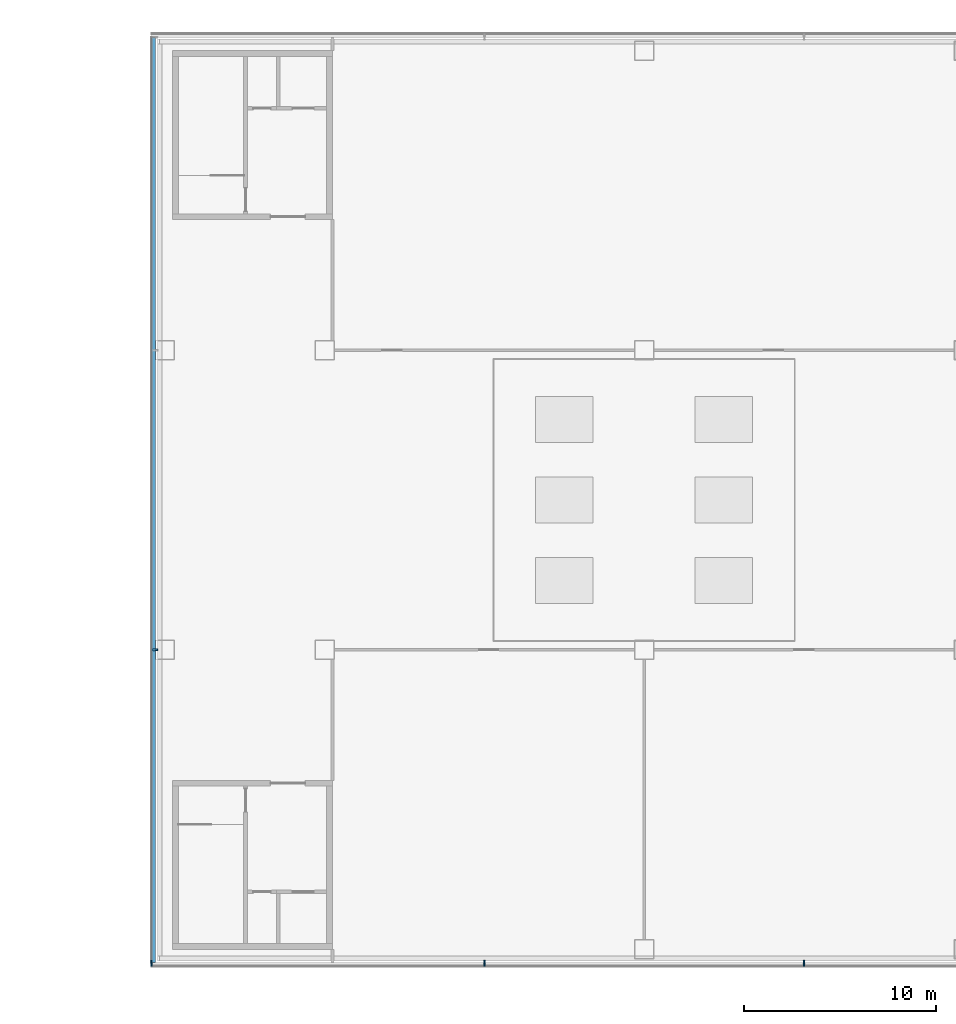
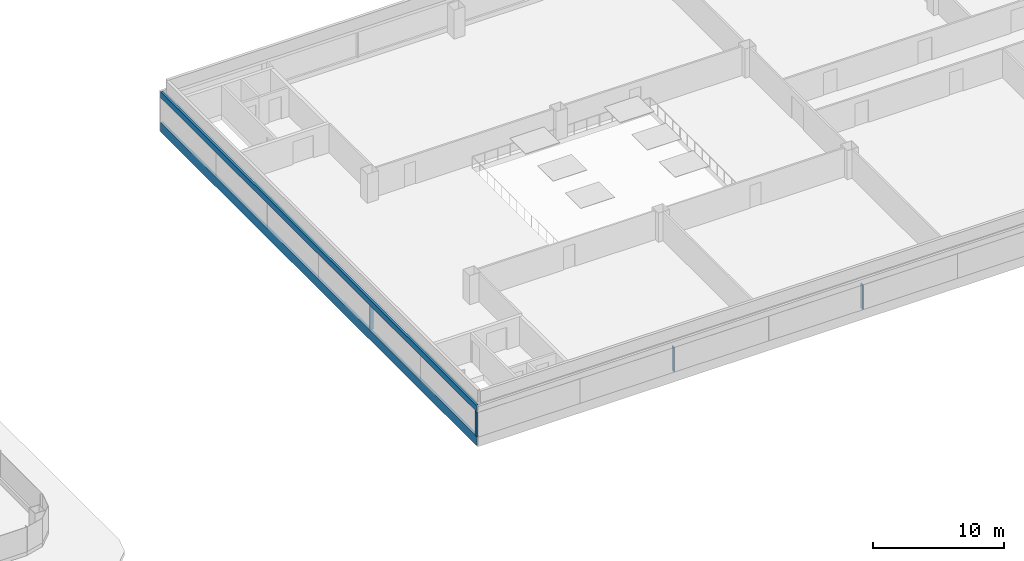
# One storey, part 13 of 42: 6 members, 2 elements without a shape of their own.
"""IFC4 building model written with IfcOpenShell, lengths in metres."""

from ifc_helpers import new_model, si_unit, direction, frame, origin, origin_2d, place, context, subcontext, project, spatial, rectangle, extrude, material, layer, layer_set, material_profile, profile_set, type_object, element, aggregate, save


model = new_model("IFC4")

# Units and contexts
model_context = context("Model", 3, precision=1e-05, world=origin(), true_north=direction((0.0, 1.0)))
body_context = subcontext(model_context, "Body", "Model", "MODEL_VIEW")
ifc_project = project(units=[si_unit("LENGTHUNIT", "METRE"), si_unit("AREAUNIT", "SQUARE_METRE"), si_unit("VOLUMEUNIT", "CUBIC_METRE"), si_unit("PLANEANGLEUNIT", "RADIAN"), si_unit("MASSUNIT", "GRAM", prefix="KILO")], contexts=[model_context])

# Site, building, storey
site_placement = place(None, origin())
site = spatial("IfcSite", under=ifc_project, at=site_placement, CompositionType="ELEMENT")
building_placement = place(site_placement, origin())
building = spatial("IfcBuilding", under=site, at=building_placement, Name="Hakoniwa Tower and Hamabe Station Hall", CompositionType="ELEMENT")
storey_placement = place(building_placement, frame((0.0, 0.0, 19.800048828125)))
storey = spatial("IfcBuildingStorey", under=building, at=storey_placement, Name="L04", CompositionType="ELEMENT", Elevation=19.800048828125)

# Curtain wall, members
ifc_material_1 = material(Name="Dark low-e laminated glass", Category="glass")
ifc_layer = layer(ifc_material_1, 0.199951171875)
ifc_layer_set = layer_set([ifc_layer], Name="CW-7 STATION")
curtain_wall_type = type_object("IfcCurtainWallType", Name="CW-7 STATION", PredefinedType="NOTDEFINED", material=ifc_layer_set)
curtain_wall_1_placement = place(storey_placement, origin())
curtain_wall_1 = element("IfcCurtainWall", 1, at=curtain_wall_1_placement, inside=storey, type_object=curtain_wall_type, Name="Station curtain wall L04 west", PredefinedType="NOTDEFINED")
ifc_material_2 = material(Name="Aluminium 6063-T5 black anodised", Category="aluminium")
ifc_material_profile_1 = material_profile(ifc_material_2, rectangle(XDim=0.199951171875, YDim=0.550048828125, at=origin_2d()), Name="CW HEAD BAND 550X200")
ifc_profile_set_1 = profile_set([ifc_material_profile_1], Name="Aluminium 6063-T5 black anodised")
member_type_1 = type_object("IfcMemberType", Name="CW HEAD BAND 550X200", PredefinedType="USERDEFINED", material=ifc_profile_set_1)
member_1_placement = place(storey_placement, frame((85.35009765625, 24.10009765625, 2.925048828125), z_axis=(0.0, -1.0, 0.0), x_axis=(1.0, 0.0, 0.0)))
member_1 = element("IfcMember", 2, at=member_1_placement, type_object=member_type_1, Name="CW-7 transom", ObjectType="TRANSOM", PredefinedType="USERDEFINED", context=body_context, shape_type="SweptSolid", body=[
    extrude(rectangle(XDim=0.199951171875, YDim=0.550048828125, at=origin_2d()), origin(), (0.0, 0.0, 1.0), 48.2001953125),
])
ifc_material_3 = material(Name="Aluminium 6063-T5 black anodised", Category="aluminium")
ifc_material_profile_2 = material_profile(ifc_material_3, rectangle(XDim=0.199951171875, YDim=0.89990234375, at=origin_2d()), Name="CW SLAB-EDGE BAND 900X200")
ifc_profile_set_2 = profile_set([ifc_material_profile_2], Name="Aluminium 6063-T5 black anodised")
member_type_2 = type_object("IfcMemberType", Name="CW SLAB-EDGE BAND 900X200", PredefinedType="USERDEFINED", material=ifc_profile_set_2)
member_2_placement = place(storey_placement, frame((85.35009765625, 24.10009765625, -0.10009765625), z_axis=(0.0, -1.0, 0.0), x_axis=(1.0, 0.0, 0.0)))
member_2 = element("IfcMember", 3, at=member_2_placement, type_object=member_type_2, Name="CW-7 transom", ObjectType="TRANSOM", PredefinedType="USERDEFINED", context=body_context, shape_type="SweptSolid", body=[
    extrude(rectangle(XDim=0.199951171875, YDim=0.89990234375, at=origin_2d()), origin(), (0.0, 0.0, 1.0), 48.2001953125),
])

curtain_wall_2_placement = place(storey_placement, origin())
curtain_wall_2 = element("IfcCurtainWall", 4, at=curtain_wall_2_placement, inside=storey, type_object=curtain_wall_type, Name="Station curtain wall L04 south", PredefinedType="NOTDEFINED")
ifc_material_4 = material(Name="Aluminium 6063-T5 black anodised", Category="aluminium")
ifc_material_profile_3 = material_profile(ifc_material_4, rectangle(XDim=0.080078125, YDim=0.300048828125, at=origin_2d()), Name="CW-3 MULLION 80X300")
ifc_profile_set_3 = profile_set([ifc_material_profile_3], Name="Aluminium 6063-T5 black anodised")
member_type_3 = type_object("IfcMemberType", Name="CW-3 MULLION 80X300", PredefinedType="MULLION", material=ifc_profile_set_3)
member_3_placement = place(storey_placement, frame((85.25, -24.1220703125, 0.349853515625), z_axis=(0.0, 0.0, 1.0), x_axis=(1.0, 0.0, 0.0)))
member_3 = element("IfcMember", 5, at=member_3_placement, type_object=member_type_3, Name="CW-7 mullion", PredefinedType="MULLION", context=body_context, shape_type="SweptSolid", body=[
    extrude(rectangle(XDim=0.080078125, YDim=0.300048828125, at=origin_2d()), origin(), (0.0, 0.0, 1.0), 2.300048828125),
])
member_4_placement = place(storey_placement, frame((102.590087890625, -24.1220703125, 0.349853515625), z_axis=(0.0, 0.0, 1.0), x_axis=(1.0, 0.0, 0.0)))
member_4 = element("IfcMember", 6, at=member_4_placement, type_object=member_type_3, Name="CW-7 mullion", PredefinedType="MULLION", context=body_context, shape_type="SweptSolid", body=[
    extrude(rectangle(XDim=0.080078125, YDim=0.300048828125, at=origin_2d()), origin(), (0.0, 0.0, 1.0), 2.300048828125),
])
member_5_placement = place(storey_placement, frame((119.22998046875, -24.1220703125, 0.349853515625), z_axis=(0.0, 0.0, 1.0), x_axis=(1.0, 0.0, 0.0)))
member_5 = element("IfcMember", 7, at=member_5_placement, type_object=member_type_3, Name="CW-7 mullion", PredefinedType="MULLION", context=body_context, shape_type="SweptSolid", body=[
    extrude(rectangle(XDim=0.080078125, YDim=0.300048828125, at=origin_2d()), origin(), (0.0, 0.0, 1.0), 2.300048828125),
])
aggregate(curtain_wall_2, [member_3, member_4, member_5])

# Member
member_6_placement = place(storey_placement, frame((85.427978515625, -7.800048828125, 0.349853515625), z_axis=(0.0, 0.0, 1.0), x_axis=(0.0, -1.0, 0.0)))
member_6 = element("IfcMember", 8, at=member_6_placement, type_object=member_type_3, Name="CW-7 mullion", PredefinedType="MULLION", context=body_context, shape_type="SweptSolid", body=[
    extrude(rectangle(XDim=0.080078125, YDim=0.300048828125, at=origin_2d()), origin(), (0.0, 0.0, 1.0), 2.300048828125),
])

aggregate(curtain_wall_1, [member_6, member_2, member_1])

save(model, "model.ifc")
